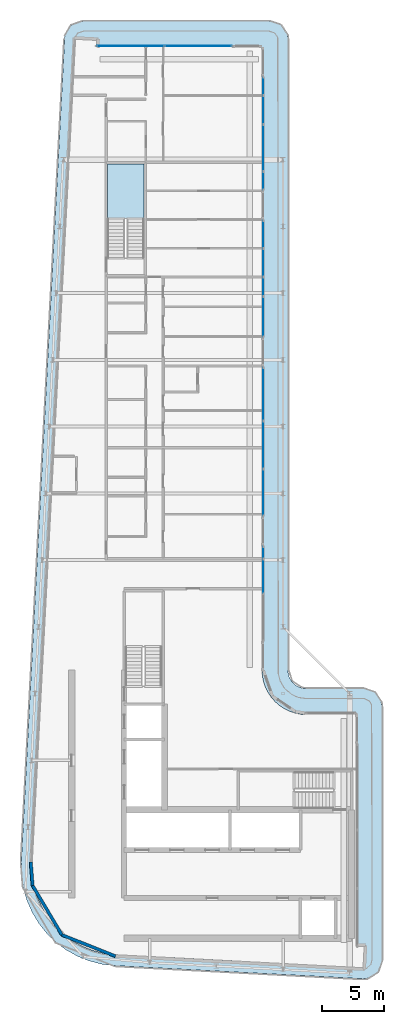
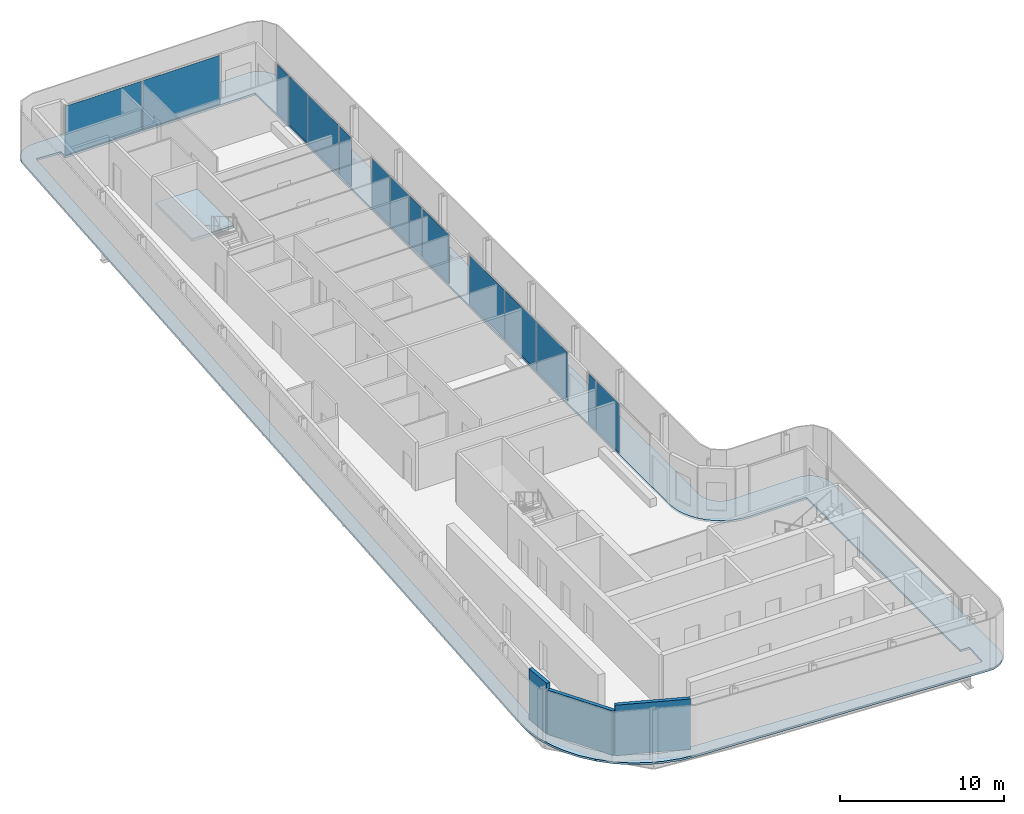
# One storey, part 8 of 18: 15 plates, 3 walls, 2 slabs, 9 elements without a shape of their own.
"""IFC4 building model written with IfcOpenShell, lengths in metres."""

from ifc_helpers import new_model, si_unit, direction, frame, frame_2d, origin, origin_2d, place, context, subcontext, project, spatial, polyline, rectangle, outline, extrude, material, layer, layer_set, type_object, element, aggregate, save


model = new_model("IFC4")

# Units and contexts
model_context = context("Model", 3, precision=1e-05, world=origin(), true_north=direction((0.0, 1.0)))
body_context = subcontext(model_context, "Body", "Model", "MODEL_VIEW")
ifc_project = project(units=[si_unit("LENGTHUNIT", "METRE"), si_unit("AREAUNIT", "SQUARE_METRE"), si_unit("VOLUMEUNIT", "CUBIC_METRE"), si_unit("PLANEANGLEUNIT", "RADIAN"), si_unit("MASSUNIT", "GRAM", prefix="KILO")], contexts=[model_context])

# Site, building, storey
site_placement = place(None, origin())
site = spatial("IfcSite", under=ifc_project, at=site_placement, CompositionType="ELEMENT")
building_placement = place(site_placement, origin())
building = spatial("IfcBuilding", under=site, at=building_placement, Name="Kheshtan School and Residences Tower", CompositionType="ELEMENT")
storey_placement = place(building_placement, frame((0.0, 0.0, 365.60009765625)))
storey = spatial("IfcBuildingStorey", under=building, at=storey_placement, Name="L86", CompositionType="ELEMENT", Elevation=365.60009765625)

# Curtain wall, plates
ifc_material_1 = material(Name="Clear low-e glass in thermally broken aluminium frame", Category="aluminium")
ifc_layer_1 = layer(ifc_material_1, 0.199951171875)
ifc_layer_set_1 = layer_set([ifc_layer_1], Name="Curtain wall CW-L")
curtain_wall_type = type_object("IfcCurtainWallType", Name="Curtain wall CW-L", PredefinedType="NOTDEFINED", material=ifc_layer_set_1)
curtain_wall_1_placement = place(storey_placement, origin())
curtain_wall_1 = element("IfcCurtainWall", 1, at=curtain_wall_1_placement, inside=storey, type_object=curtain_wall_type, Name="Curtain wall CWL7", PredefinedType="NOTDEFINED")
ifc_layer_2 = layer(ifc_material_1, 0.031982421875)
ifc_layer_set_2 = layer_set([ifc_layer_2], Name="CW-L glass panel")
plate_type = type_object("IfcPlateType", Name="CW-L glass panel", PredefinedType="CURTAIN_PANEL", material=ifc_layer_set_2)
plate_1_placement = place(storey_placement, frame((35.259033203125, 98.0, 0.0), z_axis=(0.0, 0.0, 1.0), x_axis=(1.0, 0.0, 0.0)))
plate_1 = element("IfcPlate", 2, at=plate_1_placement, type_object=plate_type, Name="CWL7 panel 1.1", PredefinedType="CURTAIN_PANEL", context=body_context, shape_type="SweptSolid", body=[
    extrude(rectangle(XDim=5.4140625, YDim=0.031982421875, at=origin_2d()), origin(), (0.0, 0.0, 1.0), 3.6298828125),
])
plate_2_placement = place(storey_placement, frame((40.73291015625, 98.0, 0.0), z_axis=(0.0, 0.0, 1.0), x_axis=(1.0, 0.0, 0.0)))
plate_2 = element("IfcPlate", 3, at=plate_2_placement, type_object=plate_type, Name="CWL7 panel 2.1", PredefinedType="CURTAIN_PANEL", context=body_context, shape_type="SweptSolid", body=[
    extrude(rectangle(XDim=5.4140625, YDim=0.031982421875, at=origin_2d()), origin(), (0.0, 0.0, 1.0), 3.6298828125),
])
aggregate(curtain_wall_1, [plate_1, plate_2])

curtain_wall_2_placement = place(storey_placement, origin())
curtain_wall_2 = element("IfcCurtainWall", 4, at=curtain_wall_2_placement, inside=storey, type_object=curtain_wall_type, Name="Curtain wall CWL8c", PredefinedType="NOTDEFINED")
plate_3_placement = place(storey_placement, frame((46.0, 94.735107421875, 0.0), z_axis=(0.0, 0.0, 1.0), x_axis=(0.0, -1.0, 0.0)))
plate_3 = element("IfcPlate", 5, at=plate_3_placement, type_object=plate_type, Name="CWL8c panel 1.1", PredefinedType="CURTAIN_PANEL", context=body_context, shape_type="SweptSolid", body=[
    extrude(rectangle(XDim=1.409912109375, YDim=0.031982421875, at=origin_2d()), origin(), (0.0, 0.0, 1.0), 3.6298828125),
])
plate_4_placement = place(storey_placement, frame((46.0, 92.826416015625, 0.0), z_axis=(0.0, 0.0, 1.0), x_axis=(0.0, -1.0, 0.0)))
plate_4 = element("IfcPlate", 6, at=plate_4_placement, type_object=plate_type, Name="CWL8c panel 2.1", PredefinedType="CURTAIN_PANEL", context=body_context, shape_type="SweptSolid", body=[
    extrude(rectangle(XDim=2.287109375, YDim=0.031982421875, at=origin_2d()), origin(), (0.0, 0.0, 1.0), 3.6298828125),
])
plate_5_placement = place(storey_placement, frame((46.0, 89.744384765625, 0.0), z_axis=(0.0, 0.0, 1.0), x_axis=(0.0, -1.0, 0.0)))
plate_5 = element("IfcPlate", 7, at=plate_5_placement, type_object=plate_type, Name="CWL8c panel 3.1", PredefinedType="CURTAIN_PANEL", context=body_context, shape_type="SweptSolid", body=[
    extrude(rectangle(XDim=3.757080078125, YDim=0.031982421875, at=origin_2d()), origin(), (0.0, 0.0, 1.0), 3.6298828125),
])
aggregate(curtain_wall_2, [plate_3, plate_4, plate_5])

# Curtain wall, plate
curtain_wall_3_placement = place(storey_placement, origin())
curtain_wall_3 = element("IfcCurtainWall", 8, at=curtain_wall_3_placement, inside=storey, type_object=curtain_wall_type, Name="Curtain wall CWL8a", PredefinedType="NOTDEFINED")
plate_6_placement = place(storey_placement, frame((46.0, 87.0859375, 0.0), z_axis=(0.0, 0.0, 1.0), x_axis=(0.0, -1.0, 0.0)))
plate_6 = element("IfcPlate", 9, at=plate_6_placement, type_object=plate_type, Name="CWL8a panel 1.1", PredefinedType="CURTAIN_PANEL", context=body_context, shape_type="SweptSolid", body=[
    extrude(rectangle(XDim=1.43994140625, YDim=0.031982421875, at=origin_2d()), origin(), (0.0, 0.0, 1.0), 3.6298828125),
])
aggregate(curtain_wall_3, [plate_6])

# Curtain wall, plates
curtain_wall_4_placement = place(storey_placement, origin())
curtain_wall_4 = element("IfcCurtainWall", 10, at=curtain_wall_4_placement, inside=storey, type_object=curtain_wall_type, Name="Curtain wall CWL8b", PredefinedType="NOTDEFINED")
plate_7_placement = place(storey_placement, frame((46.0, 82.75048828125, 0.0), z_axis=(0.0, 0.0, 1.0), x_axis=(0.0, -1.0, 0.0)))
plate_7 = element("IfcPlate", 11, at=plate_7_placement, type_object=plate_type, Name="CWL8b panel 1.1", PredefinedType="CURTAIN_PANEL", context=body_context, shape_type="SweptSolid", body=[
    extrude(rectangle(XDim=2.19091796875, YDim=0.031982421875, at=origin_2d()), origin(), (0.0, 0.0, 1.0), 3.6298828125),
])
plate_8_placement = place(storey_placement, frame((46.0, 80.46240234375, 0.0), z_axis=(0.0, 0.0, 1.0), x_axis=(0.0, -1.0, 0.0)))
plate_8 = element("IfcPlate", 12, at=plate_8_placement, type_object=plate_type, Name="CWL8b panel 2.1", PredefinedType="CURTAIN_PANEL", context=body_context, shape_type="SweptSolid", body=[
    extrude(rectangle(XDim=2.264892578125, YDim=0.031982421875, at=origin_2d()), origin(), (0.0, 0.0, 1.0), 3.6298828125),
])
plate_9_placement = place(storey_placement, frame((46.0, 78.52099609375, 0.0), z_axis=(0.0, 0.0, 1.0), x_axis=(0.0, -1.0, 0.0)))
plate_9 = element("IfcPlate", 13, at=plate_9_placement, type_object=plate_type, Name="CWL8b panel 3.1", PredefinedType="CURTAIN_PANEL", context=body_context, shape_type="SweptSolid", body=[
    extrude(rectangle(XDim=1.498046875, YDim=0.031982421875, at=origin_2d()), origin(), (0.0, 0.0, 1.0), 3.6298828125),
])
aggregate(curtain_wall_4, [plate_7, plate_8, plate_9])

# Curtain wall, plate
curtain_wall_5_placement = place(storey_placement, origin())
curtain_wall_5 = element("IfcCurtainWall", 14, at=curtain_wall_5_placement, inside=storey, type_object=curtain_wall_type, Name="Curtain wall CWL8q", PredefinedType="NOTDEFINED")
plate_10_placement = place(storey_placement, frame((46.0, 76.092041015625, 0.0), z_axis=(0.0, 0.0, 1.0), x_axis=(0.0, -1.0, 0.0)))
plate_10 = element("IfcPlate", 15, at=plate_10_placement, type_object=plate_type, Name="CWL8q panel 1.1", PredefinedType="CURTAIN_PANEL", context=body_context, shape_type="SweptSolid", body=[
    extrude(rectangle(XDim=3.239990234375, YDim=0.031982421875, at=origin_2d()), origin(), (0.0, 0.0, 1.0), 3.6298828125),
])
aggregate(curtain_wall_5, [plate_10])

curtain_wall_6_placement = place(storey_placement, origin())
curtain_wall_6 = element("IfcCurtainWall", 16, at=curtain_wall_6_placement, inside=storey, type_object=curtain_wall_type, Name="Curtain wall CWL8r", PredefinedType="NOTDEFINED")
plate_11_placement = place(storey_placement, frame((46.0, 69.81494140625, 0.0), z_axis=(0.0, 0.0, 1.0), x_axis=(0.0, -1.0, 0.0)))
plate_11 = element("IfcPlate", 17, at=plate_11_placement, type_object=plate_type, Name="CWL8r panel 1.1", PredefinedType="CURTAIN_PANEL", context=body_context, shape_type="SweptSolid", body=[
    extrude(rectangle(XDim=4.27392578125, YDim=0.031982421875, at=origin_2d()), origin(), (0.0, 0.0, 1.0), 3.6298828125),
])
aggregate(curtain_wall_6, [plate_11])

# Curtain wall, plates
curtain_wall_7_placement = place(storey_placement, origin())
curtain_wall_7 = element("IfcCurtainWall", 18, at=curtain_wall_7_placement, inside=storey, type_object=curtain_wall_type, Name="Curtain wall CWL8", PredefinedType="NOTDEFINED")
plate_12_placement = place(storey_placement, frame((46.0, 65.70947265625, 0.0), z_axis=(0.0, 0.0, 1.0), x_axis=(0.0, -1.0, 0.0)))
plate_12 = element("IfcPlate", 19, at=plate_12_placement, type_object=plate_type, Name="CWL8 panel 1.1", PredefinedType="CURTAIN_PANEL", context=body_context, shape_type="SweptSolid", body=[
    extrude(rectangle(XDim=3.81689453125, YDim=0.031982421875, at=origin_2d()), origin(), (0.0, 0.0, 1.0), 3.6298828125),
])
plate_13_placement = place(storey_placement, frame((46.0, 61.862548828125, 0.0), z_axis=(0.0, 0.0, 1.0), x_axis=(0.0, -1.0, 0.0)))
plate_13 = element("IfcPlate", 20, at=plate_13_placement, type_object=plate_type, Name="CWL8 panel 2.1", PredefinedType="CURTAIN_PANEL", context=body_context, shape_type="SweptSolid", body=[
    extrude(rectangle(XDim=3.757080078125, YDim=0.031982421875, at=origin_2d()), origin(), (0.0, 0.0, 1.0), 3.6298828125),
])
aggregate(curtain_wall_7, [plate_12, plate_13])

curtain_wall_8_placement = place(storey_placement, origin())
curtain_wall_8 = element("IfcCurtainWall", 21, at=curtain_wall_8_placement, inside=storey, type_object=curtain_wall_type, Name="Curtain wall CWL8c", PredefinedType="NOTDEFINED")
plate_14_placement = place(storey_placement, frame((46.0, 56.9970703125, 0.0), z_axis=(0.0, 0.0, 1.0), x_axis=(0.0, -1.0, 0.0)))
plate_14 = element("IfcPlate", 22, at=plate_14_placement, type_object=plate_type, Name="CWL8c panel 1.1", PredefinedType="CURTAIN_PANEL", context=body_context, shape_type="SweptSolid", body=[
    extrude(rectangle(XDim=0.93408203125, YDim=0.031982421875, at=origin_2d()), origin(), (0.0, 0.0, 1.0), 3.6298828125),
])
plate_15_placement = place(storey_placement, frame((46.0, 55.08837890625, 0.0), z_axis=(0.0, 0.0, 1.0), x_axis=(0.0, -1.0, 0.0)))
plate_15 = element("IfcPlate", 23, at=plate_15_placement, type_object=plate_type, Name="CWL8c panel 2.1", PredefinedType="CURTAIN_PANEL", context=body_context, shape_type="SweptSolid", body=[
    extrude(rectangle(XDim=2.762939453125, YDim=0.031982421875, at=origin_2d()), origin(), (0.0, 0.0, 1.0), 3.6298828125),
])
aggregate(curtain_wall_8, [plate_14, plate_15])

# Slab
ifc_material_2 = material(Name="Concrete C40/50", Category="concrete")
ifc_layer_3 = layer(ifc_material_2, 0.14990234375)
ifc_layer_set_3 = layer_set([ifc_layer_3], Name="Loggia balcony slab 150 Concrete C40/50")
slab_type_1 = type_object("IfcSlabType", Name="Loggia balcony slab 150 Concrete C40/50", PredefinedType="FLOOR", material=ifc_layer_set_3)
slab_1_placement = place(storey_placement, frame((0.0, 0.0, -0.150146484375)))
element("IfcSlab", 24, at=slab_1_placement, inside=storey, type_object=slab_type_1, Name="Loggia balcony slab L86", PredefinedType="FLOOR", context=body_context, shape_type="SweptSolid", body=[
    extrude(outline(polyline([(28.4580078125, 26.222900390625), (28.45703125, 26.222900390625), (28.45703125, 26.22412109375), (28.4560546875, 26.22412109375), (27.81494140625, 27.0390625), (27.281005859375, 27.93798828125), (26.867919921875, 28.89990234375), (26.583984375, 29.89990234375), (26.583984375, 29.906982421875), (26.43408203125, 30.943115234375), (26.419921875, 31.989013671875), (29.925048828125, 98.5791015625), (29.930908203125, 98.626953125), (29.930908203125, 98.6279296875), (29.929931640625, 98.6279296875), (29.929931640625, 98.62890625), (29.928955078125, 98.62890625), (29.928955078125, 98.6298828125), (29.927978515625, 98.6298828125), (29.927978515625, 98.631103515625), (29.927001953125, 98.631103515625), (29.927001953125, 98.632080078125), (29.927001953125, 98.633056640625), (29.945068359375, 98.781005859375), (29.945068359375, 98.783935546875), (29.945068359375, 98.784912109375), (29.946044921875, 98.784912109375), (29.946044921875, 98.785888671875), (29.947021484375, 98.785888671875), (29.947021484375, 98.787109375), (29.947998046875, 98.787109375), (29.948974609375, 98.787109375), (29.948974609375, 98.7880859375), (29.949951171875, 98.7880859375), (29.949951171875, 98.7890625), (29.949951171875, 98.791015625), (30.0029296875, 98.98388671875), (30.083984375, 99.175048828125), (30.18896484375, 99.35302734375), (30.31103515625, 99.507080078125), (30.31201171875, 99.507080078125), (30.31201171875, 99.508056640625), (30.31298828125, 99.508056640625), (30.31298828125, 99.509033203125), (30.31396484375, 99.509033203125), (30.31396484375, 99.510009765625), (30.31494140625, 99.510009765625), (30.31494140625, 99.510986328125), (30.31591796875, 99.510986328125), (30.31591796875, 99.511962890625), (30.31689453125, 99.511962890625), (30.31689453125, 99.512939453125), (30.318115234375, 99.512939453125), (30.320068359375, 99.512939453125), (30.321044921875, 99.512939453125), (30.321044921875, 99.513916015625), (30.468017578125, 99.656982421875), (30.468994140625, 99.656982421875), (30.468994140625, 99.657958984375), (30.469970703125, 99.657958984375), (30.469970703125, 99.658935546875), (30.470947265625, 99.658935546875), (30.470947265625, 99.659912109375), (30.471923828125, 99.659912109375), (30.471923828125, 99.660888671875), (30.472900390625, 99.660888671875), (30.472900390625, 99.662109375), (30.47412109375, 99.662109375), (30.47412109375, 99.6630859375), (30.47509765625, 99.6630859375), (30.47509765625, 99.6640625), (30.635986328125, 99.777099609375), (30.820068359375, 99.873046875), (31.007080078125, 99.943115234375), (31.013916015625, 99.943115234375), (31.217041015625, 99.986083984375), (31.423095703125, 100.0), (46.5, 100.0), (46.696044921875, 99.987060546875), (46.887939453125, 99.948974609375), (46.89501953125, 99.948974609375), (47.073974609375, 99.885986328125), (47.242919921875, 99.801025390625), (47.243896484375, 99.801025390625), (47.2470703125, 99.801025390625), (47.248046875, 99.801025390625), (47.248046875, 99.802001953125), (47.2490234375, 99.802001953125), (47.2490234375, 99.802978515625), (47.25, 99.802978515625), (47.2529296875, 99.802978515625), (47.25390625, 99.802978515625), (47.25390625, 99.802001953125), (47.2548828125, 99.802001953125), (47.2548828125, 99.801025390625), (47.256103515625, 99.801025390625), (47.256103515625, 99.800048828125), (47.257080078125, 99.800048828125), (47.257080078125, 99.799072265625), (47.258056640625, 99.799072265625), (47.258056640625, 99.798095703125), (47.412109375, 99.696044921875), (47.4130859375, 99.696044921875), (47.4130859375, 99.695068359375), (47.4140625, 99.695068359375), (47.4140625, 99.694091796875), (47.4140625, 99.68994140625), (47.4140625, 99.68896484375), (47.4150390625, 99.68896484375), (47.4150390625, 99.68798828125), (47.416015625, 99.68798828125), (47.416015625, 99.68701171875), (47.4169921875, 99.68701171875), (47.4169921875, 99.68603515625), (47.554931640625, 99.568115234375), (47.554931640625, 99.56689453125), (47.555908203125, 99.56689453125), (47.555908203125, 99.56591796875), (47.556884765625, 99.56591796875), (47.556884765625, 99.56494140625), (47.55810546875, 99.56494140625), (47.55810546875, 99.56396484375), (47.55908203125, 99.56396484375), (47.55908203125, 99.56298828125), (47.56005859375, 99.56298828125), (47.56005859375, 99.56201171875), (47.56103515625, 99.56201171875), (47.56201171875, 99.56103515625), (47.56201171875, 99.56005859375), (47.56298828125, 99.56005859375), (47.56298828125, 99.55908203125), (47.56396484375, 99.55908203125), (47.56396484375, 99.55810546875), (47.56494140625, 99.55810546875), (47.56494140625, 99.556884765625), (47.56591796875, 99.556884765625), (47.56591796875, 99.555908203125), (47.56689453125, 99.555908203125), (47.56689453125, 99.554931640625), (47.568115234375, 99.554931640625), (47.68505859375, 99.41796875), (47.68603515625, 99.41796875), (47.68603515625, 99.4169921875), (47.68701171875, 99.4169921875), (47.68701171875, 99.416015625), (47.68798828125, 99.416015625), (47.68798828125, 99.4150390625), (47.68896484375, 99.4150390625), (47.68896484375, 99.4140625), (47.68994140625, 99.4140625), (47.694091796875, 99.4140625), (47.695068359375, 99.4140625), (47.695068359375, 99.4130859375), (47.696044921875, 99.4130859375), (47.696044921875, 99.412109375), (47.797119140625, 99.259033203125), (47.798095703125, 99.259033203125), (47.798095703125, 99.258056640625), (47.799072265625, 99.258056640625), (47.799072265625, 99.257080078125), (47.800048828125, 99.257080078125), (47.800048828125, 99.256103515625), (47.801025390625, 99.256103515625), (47.801025390625, 99.2548828125), (47.802001953125, 99.2548828125), (47.802001953125, 99.25390625), (47.802978515625, 99.25390625), (47.802978515625, 99.2529296875), (47.802978515625, 99.25), (47.802978515625, 99.2490234375), (47.802001953125, 99.2490234375), (47.802001953125, 99.248046875), (47.801025390625, 99.248046875), (47.801025390625, 99.2470703125), (47.801025390625, 99.243896484375), (47.801025390625, 99.242919921875), (47.885986328125, 99.073974609375), (47.948974609375, 98.89501953125), (47.948974609375, 98.887939453125), (47.987060546875, 98.696044921875), (48.0, 98.5), (48.0, 47.5), (48.012939453125, 47.303955078125), (48.051025390625, 47.113037109375), (48.051025390625, 47.10693359375), (48.051025390625, 47.10595703125), (48.114013671875, 46.926025390625), (48.200927734375, 46.75), (48.31005859375, 46.5869140625), (48.431884765625, 46.444091796875), (48.43310546875, 46.444091796875), (48.43310546875, 46.443115234375), (48.43408203125, 46.443115234375), (48.43408203125, 46.44189453125), (48.43505859375, 46.44189453125), (48.43505859375, 46.44091796875), (48.43603515625, 46.44091796875), (48.43603515625, 46.43994140625), (48.43701171875, 46.43994140625), (48.43701171875, 46.43896484375), (48.43798828125, 46.43896484375), (48.43896484375, 46.43798828125), (48.43896484375, 46.43701171875), (48.43994140625, 46.43701171875), (48.43994140625, 46.43603515625), (48.44091796875, 46.43603515625), (48.44091796875, 46.43505859375), (48.44189453125, 46.43505859375), (48.44189453125, 46.43408203125), (48.443115234375, 46.43408203125), (48.443115234375, 46.43310546875), (48.444091796875, 46.43310546875), (48.444091796875, 46.431884765625), (48.5869140625, 46.31005859375), (48.75, 46.200927734375), (48.926025390625, 46.114013671875), (49.10595703125, 46.051025390625), (49.10693359375, 46.051025390625), (49.113037109375, 46.051025390625), (49.303955078125, 46.012939453125), (49.5, 46.0), (54.10009765625, 46.0), (54.2958984375, 45.987060546875), (54.488037109375, 45.948974609375), (54.4951171875, 45.948974609375), (54.674072265625, 45.885986328125), (54.842041015625, 45.801025390625), (54.843017578125, 45.801025390625), (54.846923828125, 45.801025390625), (54.847900390625, 45.801025390625), (54.847900390625, 45.802001953125), (54.84912109375, 45.802001953125), (54.84912109375, 45.802978515625), (54.85009765625, 45.802978515625), (54.85302734375, 45.802978515625), (54.85400390625, 45.802978515625), (54.85400390625, 45.802001953125), (54.85498046875, 45.802001953125), (54.85498046875, 45.801025390625), (54.85595703125, 45.801025390625), (54.85595703125, 45.800048828125), (54.85693359375, 45.800048828125), (54.85693359375, 45.799072265625), (54.85791015625, 45.799072265625), (54.85791015625, 45.798095703125), (54.85888671875, 45.798095703125), (54.85888671875, 45.797119140625), (54.860107421875, 45.797119140625), (54.860107421875, 45.7958984375), (55.011962890625, 45.696044921875), (55.012939453125, 45.696044921875), (55.012939453125, 45.695068359375), (55.013916015625, 45.695068359375), (55.013916015625, 45.694091796875), (55.013916015625, 45.68994140625), (55.013916015625, 45.68896484375), (55.014892578125, 45.68896484375), (55.014892578125, 45.68798828125), (55.01611328125, 45.68798828125), (55.01611328125, 45.68701171875), (55.01708984375, 45.68701171875), (55.01708984375, 45.68603515625), (55.01806640625, 45.68603515625), (55.01806640625, 45.68505859375), (55.01904296875, 45.68505859375), (55.01904296875, 45.68408203125), (55.155029296875, 45.568115234375), (55.155029296875, 45.56689453125), (55.156005859375, 45.56689453125), (55.156005859375, 45.56591796875), (55.156982421875, 45.56591796875), (55.156982421875, 45.56494140625), (55.157958984375, 45.56494140625), (55.157958984375, 45.56396484375), (55.158935546875, 45.56396484375), (55.158935546875, 45.56298828125), (55.159912109375, 45.56298828125), (55.159912109375, 45.56201171875), (55.160888671875, 45.56201171875), (55.162109375, 45.56103515625), (55.162109375, 45.56005859375), (55.1630859375, 45.56005859375), (55.1630859375, 45.55908203125), (55.1640625, 45.55908203125), (55.1640625, 45.55810546875), (55.1650390625, 45.55810546875), (55.1650390625, 45.556884765625), (55.166015625, 45.556884765625), (55.166015625, 45.555908203125), (55.1669921875, 45.555908203125), (55.1669921875, 45.554931640625), (55.16796875, 45.554931640625), (55.281982421875, 45.4208984375), (55.282958984375, 45.4208984375), (55.282958984375, 45.419921875), (55.283935546875, 45.419921875), (55.283935546875, 45.4189453125), (55.284912109375, 45.4189453125), (55.284912109375, 45.41796875), (55.285888671875, 45.41796875), (55.285888671875, 45.4169921875), (55.287109375, 45.4169921875), (55.287109375, 45.416015625), (55.2880859375, 45.416015625), (55.2880859375, 45.4150390625), (55.2890625, 45.4150390625), (55.2890625, 45.4140625), (55.2900390625, 45.4140625), (55.2939453125, 45.4140625), (55.294921875, 45.4140625), (55.294921875, 45.4130859375), (55.2958984375, 45.4130859375), (55.2958984375, 45.412109375), (55.39404296875, 45.261962890625), (55.39501953125, 45.261962890625), (55.39501953125, 45.260986328125), (55.39599609375, 45.260986328125), (55.39599609375, 45.260009765625), (55.39697265625, 45.260009765625), (55.39697265625, 45.259033203125), (55.39794921875, 45.259033203125), (55.39794921875, 45.258056640625), (55.39892578125, 45.258056640625), (55.39892578125, 45.257080078125), (55.39990234375, 45.257080078125), (55.39990234375, 45.256103515625), (55.40087890625, 45.256103515625), (55.40087890625, 45.2548828125), (55.402099609375, 45.2548828125), (55.402099609375, 45.25390625), (55.403076171875, 45.25390625), (55.403076171875, 45.2529296875), (55.403076171875, 45.25), (55.403076171875, 45.2490234375), (55.402099609375, 45.2490234375), (55.402099609375, 45.248046875), (55.40087890625, 45.248046875), (55.40087890625, 45.2470703125), (55.40087890625, 45.240966796875), (55.40087890625, 45.239990234375), (55.486083984375, 45.073974609375), (55.549072265625, 44.89501953125), (55.549072265625, 44.887939453125), (55.5869140625, 44.696044921875), (55.60009765625, 44.5), (55.60009765625, 24.02294921875), (55.5859375, 23.821044921875), (55.544921875, 23.6220703125), (55.544921875, 23.614990234375), (55.47802734375, 23.430908203125), (55.385986328125, 23.25), (55.27099609375, 23.0849609375), (55.27099609375, 23.083984375), (55.27099609375, 23.0830078125), (55.27099609375, 23.08203125), (55.27197265625, 23.08203125), (55.27197265625, 23.0810546875), (55.27197265625, 23.0791015625), (55.27197265625, 23.077880859375), (55.27099609375, 23.077880859375), (55.27099609375, 23.076904296875), (55.137939453125, 22.93408203125), (55.135009765625, 22.930908203125), (55.134033203125, 22.930908203125), (55.134033203125, 22.929931640625), (55.133056640625, 22.929931640625), (55.131103515625, 22.929931640625), (55.1298828125, 22.929931640625), (55.1298828125, 22.930908203125), (55.12890625, 22.930908203125), (55.1279296875, 22.930908203125), (55.126953125, 22.930908203125), (54.97607421875, 22.805908203125), (54.803955078125, 22.698974609375), (54.618896484375, 22.615966796875), (54.430908203125, 22.55908203125), (54.424072265625, 22.55908203125), (54.22412109375, 22.528076171875), (54.02099609375, 22.52490234375), (33.989013671875, 23.580078125), (33.94189453125, 23.5859375), (33.94091796875, 23.5859375), (33.93994140625, 23.5859375), (33.93994140625, 23.5849609375), (33.93896484375, 23.5849609375), (33.93896484375, 23.583984375), (33.93798828125, 23.583984375), (33.93798828125, 23.5830078125), (33.93701171875, 23.5830078125), (33.93701171875, 23.58203125), (33.93603515625, 23.58203125), (33.93505859375, 23.58203125), (32.952880859375, 23.697998046875), (32.949951171875, 23.697998046875), (32.948974609375, 23.697998046875), (32.948974609375, 23.698974609375), (32.947998046875, 23.698974609375), (32.947998046875, 23.699951171875), (32.947021484375, 23.699951171875), (32.947021484375, 23.700927734375), (32.947021484375, 23.702880859375), (32.947021484375, 23.7041015625), (32.946044921875, 23.7041015625), (32.946044921875, 23.705078125), (32.945068359375, 23.705078125), (32.944091796875, 23.705078125), (31.93603515625, 23.9609375), (31.928955078125, 23.9609375), (30.964111328125, 24.34912109375), (30.051025390625, 24.860107421875), (29.218994140625, 25.47900390625), (29.218994140625, 25.47998046875), (29.218017578125, 25.47998046875), (29.218017578125, 25.48095703125), (29.217041015625, 25.48095703125), (29.217041015625, 25.48193359375), (29.216064453125, 25.48193359375), (29.216064453125, 25.48291015625), (29.215087890625, 25.48291015625), (29.215087890625, 25.48388671875), (29.214111328125, 25.48388671875), (29.214111328125, 25.485107421875), (29.212890625, 25.485107421875), (29.212890625, 25.486083984375), (29.2119140625, 25.486083984375), (28.466064453125, 26.217041015625), (28.466064453125, 26.218017578125), (28.465087890625, 26.218017578125), (28.462890625, 26.218017578125), (28.4619140625, 26.218017578125), (28.4619140625, 26.218994140625), (28.4609375, 26.218994140625), (28.4609375, 26.219970703125), (28.4599609375, 26.219970703125), (28.4599609375, 26.220947265625), (28.458984375, 26.220947265625), (28.458984375, 26.221923828125), (28.4580078125, 26.221923828125), (28.4580078125, 26.222900390625)]), holes=[polyline([(29.12890625, 26.824951171875), (29.12890625, 26.823974609375), (29.1298828125, 26.823974609375), (29.1298828125, 26.822998046875), (29.131103515625, 26.822998046875), (29.131103515625, 26.822021484375), (29.132080078125, 26.822021484375), (29.132080078125, 26.821044921875), (29.133056640625, 26.821044921875), (29.133056640625, 26.820068359375), (29.134033203125, 26.820068359375), (29.794921875, 26.173095703125), (29.794921875, 26.172119140625), (29.7958984375, 26.172119140625), (29.798095703125, 26.172119140625), (29.799072265625, 26.172119140625), (29.799072265625, 26.1708984375), (29.800048828125, 26.1708984375), (29.800048828125, 26.169921875), (29.801025390625, 26.169921875), (29.801025390625, 26.1689453125), (29.802001953125, 26.1689453125), (29.802001953125, 26.16796875), (29.802978515625, 26.16796875), (29.802978515625, 26.1669921875), (29.803955078125, 26.1669921875), (29.803955078125, 26.166015625), (30.541015625, 25.616943359375), (31.35205078125, 25.1630859375), (32.208984375, 24.819091796875), (32.2099609375, 24.819091796875), (32.216064453125, 24.819091796875), (33.114990234375, 24.590087890625), (34.06591796875, 24.47705078125), (54.0380859375, 23.425048828125), (54.06494140625, 23.426025390625), (54.06591796875, 23.426025390625), (54.06689453125, 23.426025390625), (54.06689453125, 23.427001953125), (54.068115234375, 23.427001953125), (54.068115234375, 23.427978515625), (54.068115234375, 23.428955078125), (54.157958984375, 25.117919921875), (54.157958984375, 25.118896484375), (54.157958984375, 25.1201171875), (54.156982421875, 25.1201171875), (54.156982421875, 25.12109375), (54.156005859375, 25.12109375), (54.155029296875, 25.12109375), (53.5009765625, 25.156005859375), (53.5, 25.156005859375), (53.5, 25.156982421875), (53.5, 43.89794921875), (53.5, 43.89892578125), (53.4990234375, 43.89892578125), (53.4990234375, 43.89990234375), (53.498046875, 43.89990234375), (49.429931640625, 43.89990234375), (49.030029296875, 43.927001953125), (48.569091796875, 44.01806640625), (48.56201171875, 44.01806640625), (48.1201171875, 44.169921875), (47.697021484375, 44.37890625), (47.30810546875, 44.638916015625), (46.95703125, 44.944091796875), (46.95703125, 44.945068359375), (46.9560546875, 44.945068359375), (46.9560546875, 44.946044921875), (46.955078125, 44.946044921875), (46.955078125, 44.947021484375), (46.9541015625, 44.947021484375), (46.9541015625, 44.947998046875), (46.952880859375, 44.947998046875), (46.952880859375, 44.948974609375), (46.951904296875, 44.948974609375), (46.951904296875, 44.949951171875), (46.951904296875, 44.950927734375), (46.950927734375, 44.950927734375), (46.950927734375, 44.951904296875), (46.949951171875, 44.951904296875), (46.948974609375, 44.951904296875), (46.948974609375, 44.952880859375), (46.947998046875, 44.952880859375), (46.947998046875, 44.9541015625), (46.947021484375, 44.9541015625), (46.947021484375, 44.955078125), (46.946044921875, 44.955078125), (46.946044921875, 44.9560546875), (46.945068359375, 44.9560546875), (46.945068359375, 44.95703125), (46.944091796875, 44.95703125), (46.638916015625, 45.30810546875), (46.37890625, 45.697021484375), (46.169921875, 46.1201171875), (46.01806640625, 46.56201171875), (46.01806640625, 46.569091796875), (45.927001953125, 47.030029296875), (45.89990234375, 47.429931640625), (45.89990234375, 97.89794921875), (45.89990234375, 97.89892578125), (45.89892578125, 97.89892578125), (45.89892578125, 97.89990234375), (45.89794921875, 97.89990234375), (32.492919921875, 97.89990234375), (32.491943359375, 97.89990234375), (32.52099609375, 98.43896484375), (32.52099609375, 98.43994140625), (32.52099609375, 98.44091796875), (32.52001953125, 98.44091796875), (32.52001953125, 98.44189453125), (32.51904296875, 98.44189453125), (32.51806640625, 98.44189453125), (30.8291015625, 98.531982421875), (30.827880859375, 98.531982421875), (30.826904296875, 98.531982421875), (30.826904296875, 98.531005859375), (30.825927734375, 98.531005859375), (30.825927734375, 98.530029296875), (30.825927734375, 98.529052734375), (30.822021484375, 98.5009765625), (27.320068359375, 31.970947265625), (27.3330078125, 31.013916015625), (27.466064453125, 30.093994140625), (27.466064453125, 30.087890625), (27.466064453125, 30.0869140625), (27.718017578125, 29.200927734375), (28.0849609375, 28.345947265625), (28.55908203125, 27.550048828125), (29.126953125, 26.825927734375), (29.1279296875, 26.825927734375), (29.1279296875, 26.824951171875), (29.12890625, 26.824951171875)])]), origin(), (0.0, 0.0, 1.0), 0.150146484375),
])

# Stair, slab
stair_type = type_object("IfcStairType", Name="Exit stair, half-turn", PredefinedType="HALF_TURN_STAIR", material=ifc_material_2)
stair_placement = place(storey_placement, origin())
stair = element("IfcStair", 25, at=stair_placement, inside=storey, type_object=stair_type, Name="L86 Protected Exit Stair ST3", PredefinedType="HALF_TURN_STAIR")
ifc_layer_4 = layer(ifc_material_2, 0.199951171875)
ifc_layer_set_4 = layer_set([ifc_layer_4], Name="Stair landing 200 Concrete C40/50")
slab_type_2 = type_object("IfcSlabType", Name="Stair landing 200 Concrete C40/50", PredefinedType="LANDING", material=ifc_layer_set_4)
slab_2_placement = place(storey_placement, frame((0.0, 0.0, 1.75)))
slab_2 = element("IfcSlab", 26, at=slab_2_placement, type_object=slab_type_2, Name="ST3 landing 1", PredefinedType="LANDING", context=body_context, shape_type="SweptSolid", body=[
    extrude(outline(polyline([(36.35009765625, 83.97998046875), (36.35009765625, 88.4599609375), (33.39990234375, 88.4599609375), (33.39990234375, 83.97998046875), (36.35009765625, 83.97998046875)])), origin(), (0.0, 0.0, 1.0), 0.199951171875),
])
aggregate(stair, [slab_2])

# Walls
ifc_material_3 = material(Name="Concrete C40/50 with ceramic cladding and mineral wool insulation", Category="concrete")
ifc_layer_5 = layer(ifc_material_3, 0.25)
ifc_layer_set_5 = layer_set([ifc_layer_5], Name="External wall 250 ceramic clad")
wall_type = type_object("IfcWallType", Name="External wall 250 ceramic clad", PredefinedType="SOLIDWALL", material=ifc_layer_set_5)
wall_1_placement = place(storey_placement, frame((34.0390625, 24.35302734375, 0.0), z_axis=(0.0, 0.0, 1.0), x_axis=(-0.929352825399, 0.369192803184, 0.0)))
element("IfcWall", 27, at=wall_1_placement, inside=storey, type_object=wall_type, Name="External wall L86 1", PredefinedType="SOLIDWALL", context=body_context, shape_type="SweptSolid", body=[
    extrude(rectangle(XDim=4.656005859375, YDim=0.25, at=frame_2d((2.328125, 0.0))), origin(), (0.0, 0.0, 1.0), 3.75),
])
wall_2_placement = place(storey_placement, frame((29.7119140625, 26.072021484375, 0.0), z_axis=(0.0, 0.0, 1.0), x_axis=(-0.511028049012, 0.859564036662, 0.0)))
element("IfcWall", 28, at=wall_2_placement, inside=storey, type_object=wall_type, Name="External wall L86 2", PredefinedType="SOLIDWALL", context=body_context, shape_type="SweptSolid", body=[
    extrude(rectangle(XDim=4.633544921875, YDim=0.25, at=frame_2d((2.31689453125, 0.0))), origin(), (0.0, 0.0, 1.0), 3.29296875),
])
wall_3_placement = place(storey_placement, frame((27.343994140625, 30.054931640625, 0.0), z_axis=(0.0, 0.0, 1.0), x_axis=(-0.077571675317, 0.99698677784, 0.0)))
element("IfcWall", 29, at=wall_3_placement, inside=storey, type_object=wall_type, Name="External wall L86 3", PredefinedType="SOLIDWALL", context=body_context, shape_type="SweptSolid", body=[
    extrude(rectangle(XDim=1.919921875, YDim=0.25, at=frame_2d((0.9599609375, 0.0))), origin(), (0.0, 0.0, 1.0), 3.75),
])

save(model, "model.ifc")
